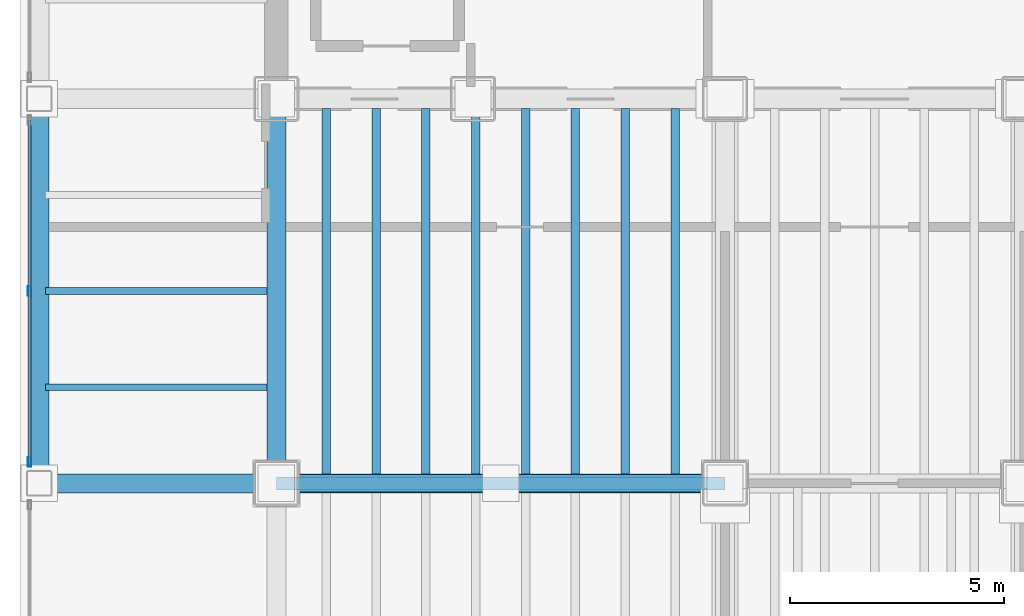
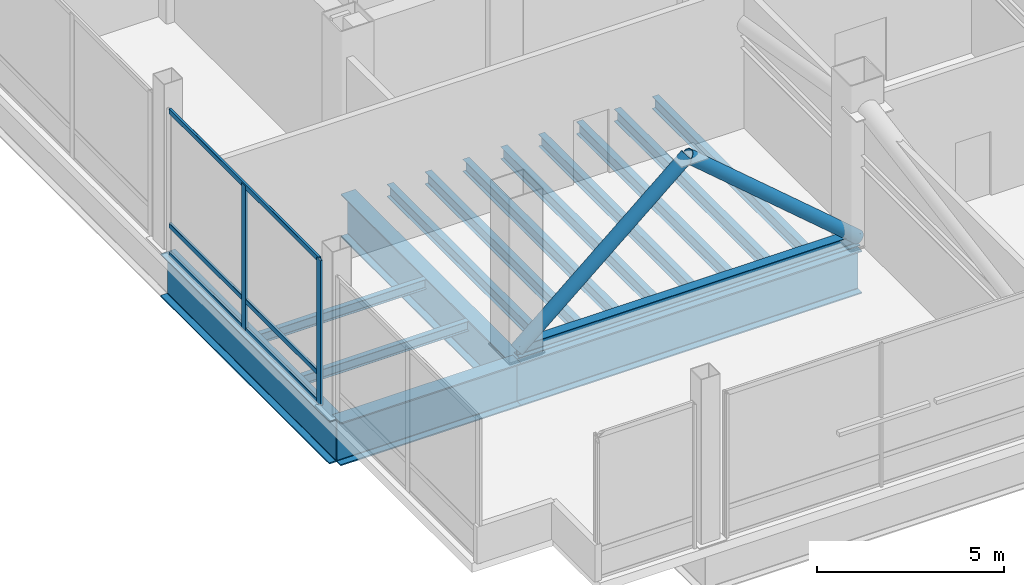
# One storey, part 4 of 20: 14 beams, 8 members, 1 element without a shape of its own.
"""IFC4 building model written with IfcOpenShell, lengths in metres."""

from ifc_helpers import new_model, si_unit, direction, frame, origin, origin_2d, place, context, subcontext, project, spatial, hollow_rectangle, hollow_circle, i_section, extrude, material, material_profile, profile_set, type_object, element, aggregate, save


model = new_model("IFC4")

# Units and contexts
model_context = context("Model", 3, precision=1e-05, world=origin(), true_north=direction((0.0, 1.0)))
body_context = subcontext(model_context, "Body", "Model", "MODEL_VIEW")
ifc_project = project(units=[si_unit("LENGTHUNIT", "METRE"), si_unit("AREAUNIT", "SQUARE_METRE"), si_unit("VOLUMEUNIT", "CUBIC_METRE"), si_unit("PLANEANGLEUNIT", "RADIAN"), si_unit("MASSUNIT", "GRAM", prefix="KILO")], contexts=[model_context])

# Site, building, storey
site_placement = place(None, origin())
site = spatial("IfcSite", under=ifc_project, at=site_placement, CompositionType="ELEMENT")
building_placement = place(site_placement, origin())
building = spatial("IfcBuilding", under=site, at=building_placement, Name="Noeulbin Bourse Tower", CompositionType="ELEMENT")
storey_placement = place(building_placement, frame((0.0, 0.0, 100.60009765625)))
storey = spatial("IfcBuildingStorey", under=building, at=storey_placement, Name="L25", CompositionType="ELEMENT", Elevation=100.60009765625)

# Beams
ifc_material_1 = material(Name="Steel S355", Category="steel")
ifc_material_profile_1 = material_profile(ifc_material_1, i_section(OverallWidth=0.159912109375, OverallDepth=0.320068359375, WebThickness=0.006591796875, FlangeThickness=0.010009765625, FilletRadius=0.012939453125, at=origin_2d()), Name="H-320x160x6.5x10", Category="LoadBearing")
ifc_profile_set_1 = profile_set([ifc_material_profile_1], Name="Steel S355")
beam_type_1 = type_object("IfcBeamType", Name="BM-JST-320", PredefinedType="JOIST", material=ifc_profile_set_1)
for number, where, z_axis, x_axis, name in (
    (1, (8.10009765625, 22.25, -0.460205078125), (1.0, 0.0, 0.0), (0.0, 1.0, 0.0), "Wing Composite Joist L25-W70"),
    (2, (8.10009765625, 24.5, -0.460205078125), (1.0, 0.0, 0.0), (0.0, 1.0, 0.0), "Wing Composite Joist L25-W71"),
):
    element("IfcBeam", number, at=place(storey_placement, frame(where, z_axis=z_axis, x_axis=x_axis)), inside=storey, type_object=beam_type_1, Name=name, PredefinedType="JOIST", context=body_context, shape_type="SweptSolid", body=[
        extrude(i_section(OverallWidth=0.159912109375, OverallDepth=0.320068359375, WebThickness=0.006591796875, FlangeThickness=0.010009765625, FilletRadius=0.012939453125, at=origin_2d()), origin(), (0.0, 0.0, 1.0), 5.1748046875),
    ])
ifc_material_profile_2 = material_profile(ifc_material_1, i_section(OverallWidth=0.199951171875, OverallDepth=0.39990234375, WebThickness=0.008056640625, FlangeThickness=0.012939453125, FilletRadius=0.01611328125, at=origin_2d()), Name="H-400x200x8x13", Category="LoadBearing")
ifc_profile_set_2 = profile_set([ifc_material_profile_2], Name="Steel S355")
beam_type_2 = type_object("IfcBeamType", Name="BM-SEC-400", PredefinedType="BEAM", material=ifc_profile_set_2)
for number, where, z_axis, x_axis, name in (
    (3, (14.666748046875, 20.22509765625, -0.5), (0.0, 1.0, 0.0), (-1.0, 0.0, 0.0), "Tower Composite Joist L25-02"),
    (4, (15.833251953125, 20.22509765625, -0.5), (0.0, 1.0, 0.0), (-1.0, 0.0, 0.0), "Tower Composite Joist L25-05"),
    (5, (17.0, 20.22509765625, -0.5), (0.0, 1.0, 0.0), (-1.0, 0.0, 0.0), "Tower Composite Joist L25-08"),
    (6, (18.166748046875, 20.22509765625, -0.5), (0.0, 1.0, 0.0), (-1.0, 0.0, 0.0), "Tower Composite Joist L25-11"),
    (7, (19.333251953125, 20.22509765625, -0.5), (0.0, 1.0, 0.0), (-1.0, 0.0, 0.0), "Tower Composite Joist L25-14"),
    (8, (20.5, 20.22509765625, -0.5), (0.0, 1.0, 0.0), (-1.0, 0.0, 0.0), "Tower Composite Joist L25-17"),
    (9, (21.666748046875, 20.22509765625, -0.5), (0.0, 1.0, 0.0), (-1.0, 0.0, 0.0), "Tower Composite Joist L25-20"),
    (10, (22.833251953125, 20.22509765625, -0.5), (0.0, 1.0, 0.0), (-1.0, 0.0, 0.0), "Tower Composite Joist L25-23"),
):
    element("IfcBeam", number, at=place(storey_placement, frame(where, z_axis=z_axis, x_axis=x_axis)), inside=storey, type_object=beam_type_2, Name=name, PredefinedType="BEAM", context=body_context, shape_type="SweptSolid", body=[
        extrude(i_section(OverallWidth=0.199951171875, OverallDepth=0.39990234375, WebThickness=0.008056640625, FlangeThickness=0.012939453125, FilletRadius=0.01611328125, at=origin_2d()), origin(), (0.0, 0.0, 1.0), 8.5498046875),
    ])
ifc_material_2 = material(Name="Steel S460", Category="steel")
ifc_material_profile_3 = material_profile(ifc_material_2, i_section(OverallWidth=0.449951171875, OverallDepth=1.39990234375, WebThickness=0.02392578125, FlangeThickness=0.0400390625, FilletRadius=0.02392578125, at=origin_2d()), Name="PG-1400x450x24x40", Category="LoadBearing")
ifc_profile_set_3 = profile_set([ifc_material_profile_3], Name="Steel S460")
beam_type_3 = type_object("IfcBeamType", Name="BM-TRF-1400", PredefinedType="USERDEFINED", material=ifc_profile_set_3)
beam_1_placement = place(storey_placement, frame((7.949951171875, 20.0, -1.0), z_axis=(1.0, 0.0, 0.0), x_axis=(0.0, 1.0, 0.0)))
element("IfcBeam", 11, at=beam_1_placement, inside=storey, type_object=beam_type_3, Name="Tower Primary Girder EW L25-1.1", ObjectType="GIRDER", PredefinedType="USERDEFINED", context=body_context, shape_type="SweptSolid", body=[
    extrude(i_section(OverallWidth=0.449951171875, OverallDepth=1.39990234375, WebThickness=0.02392578125, FlangeThickness=0.0400390625, FilletRadius=0.02392578125, at=origin_2d()), origin(), (0.0, 0.0, 1.0), 5.550048828125),
])
beam_2_placement = place(storey_placement, frame((13.5, 20.0, -1.0), z_axis=(1.0, 0.0, 0.0), x_axis=(0.0, 1.0, 0.0)))
element("IfcBeam", 12, at=beam_2_placement, inside=storey, type_object=beam_type_3, Name="Tower Primary Girder EW L25-1.2", ObjectType="GIRDER", PredefinedType="USERDEFINED", context=body_context, shape_type="SweptSolid", body=[
    extrude(i_section(OverallWidth=0.449951171875, OverallDepth=1.39990234375, WebThickness=0.02392578125, FlangeThickness=0.0400390625, FilletRadius=0.02392578125, at=origin_2d()), origin(), (0.0, 0.0, 1.0), 10.5),
])
for number, where, z_axis, x_axis, name in (
    (13, (13.5, 20.0, -1.0), (0.0, 1.0, 0.0), (-1.0, 0.0, 0.0), "Tower Primary Girder NS L25-1.2"),
    (14, (7.949951171875, 20.0, -1.0), (0.0, 1.0, 0.0), (-1.0, 0.0, 0.0), "West Spandrel L25-1"),
):
    element("IfcBeam", number, at=place(storey_placement, frame(where, z_axis=z_axis, x_axis=x_axis)), inside=storey, type_object=beam_type_3, Name=name, ObjectType="GIRDER", PredefinedType="USERDEFINED", context=body_context, shape_type="SweptSolid", body=[
        extrude(i_section(OverallWidth=0.449951171875, OverallDepth=1.39990234375, WebThickness=0.02392578125, FlangeThickness=0.0400390625, FilletRadius=0.02392578125, at=origin_2d()), origin(), (0.0, 0.0, 1.0), 9.0),
    ])

# Curtain wall, members
ifc_material_3 = material(Name="Translucent Ceramic-Fritted Glass", Category="glass")
curtain_wall_type = type_object("IfcCurtainWallType", Name="CW-SYS-5", PredefinedType="NOTDEFINED", material=ifc_material_3)
curtain_wall_placement = place(storey_placement, origin())
curtain_wall = element("IfcCurtainWall", 15, at=curtain_wall_placement, inside=storey, type_object=curtain_wall_type, Name="Unitised Curtain Wall CW-L25-W-S2", PredefinedType="NOTDEFINED")
ifc_material_4 = material(Name="Anodised Aluminium 6063-T6", Category="aluminium")
ifc_material_profile_4 = material_profile(ifc_material_4, hollow_rectangle(XDim=0.074951171875, YDim=0.219970703125, WallThickness=0.0048828125, InnerFilletRadius=0.00244140625, OuterFilletRadius=0.0048828125, at=origin_2d()), Name="ALU-MULL-75x220x5", Category="LoadBearing")
ifc_profile_set_4 = profile_set([ifc_material_profile_4], Name="Anodised Aluminium 6063-T6")
member_type_1 = type_object("IfcMemberType", Name="CW-SYS-5-MUL", PredefinedType="MULLION", material=ifc_profile_set_4)
member_1_placement = place(storey_placement, frame((7.719970703125, 20.5, -0.02001953125), z_axis=(0.0, 0.0, 1.0), x_axis=(1.0, 0.0, 0.0)))
member_1 = element("IfcMember", 16, at=member_1_placement, type_object=member_type_1, Name="Curtain Wall Mullion CW-L25-W-S2-M00", PredefinedType="MULLION", context=body_context, shape_type="SweptSolid", body=[
    extrude(hollow_rectangle(XDim=0.074951171875, YDim=0.219970703125, WallThickness=0.0048828125, InnerFilletRadius=0.00244140625, OuterFilletRadius=0.0048828125, at=origin_2d()), origin(), (0.0, 0.0, 1.0), 4.719970703125),
])
member_2_placement = place(storey_placement, frame((7.719970703125, 24.5, -0.02001953125), z_axis=(0.0, 0.0, 1.0), x_axis=(1.0, 0.0, 0.0)))
member_2 = element("IfcMember", 17, at=member_2_placement, type_object=member_type_1, Name="Curtain Wall Mullion CW-L25-W-S2-M01", PredefinedType="MULLION", context=body_context, shape_type="SweptSolid", body=[
    extrude(hollow_rectangle(XDim=0.074951171875, YDim=0.219970703125, WallThickness=0.0048828125, InnerFilletRadius=0.00244140625, OuterFilletRadius=0.0048828125, at=origin_2d()), origin(), (0.0, 0.0, 1.0), 4.719970703125),
])
ifc_material_profile_5 = material_profile(ifc_material_4, hollow_rectangle(XDim=0.074951171875, YDim=0.159912109375, WallThickness=0.0048828125, InnerFilletRadius=0.00244140625, OuterFilletRadius=0.0048828125, at=origin_2d()), Name="ALU-TRAN-75x160x5", Category="LoadBearing")
ifc_profile_set_5 = profile_set([ifc_material_profile_5], Name="Anodised Aluminium 6063-T6")
member_type_2 = type_object("IfcMemberType", Name="CW-SYS-5-TRN", PredefinedType="USERDEFINED", material=ifc_profile_set_5)
member_3_placement = place(storey_placement, frame((7.719970703125, 20.510009765625, 0.010009765625), z_axis=(0.0, 1.0, 0.0), x_axis=(-1.0, 0.0, 0.0)))
member_3 = element("IfcMember", 18, at=member_3_placement, type_object=member_type_2, Name="Curtain Wall Transom CW-L25-W-S2-T00", ObjectType="TRANSOM", PredefinedType="USERDEFINED", context=body_context, shape_type="SweptSolid", body=[
    extrude(hollow_rectangle(XDim=0.074951171875, YDim=0.159912109375, WallThickness=0.0048828125, InnerFilletRadius=0.00244140625, OuterFilletRadius=0.0048828125, at=origin_2d()), origin(), (0.0, 0.0, 1.0), 7.97998046875),
])
member_4_placement = place(storey_placement, frame((7.719970703125, 20.510009765625, 0.949951171875), z_axis=(0.0, 1.0, 0.0), x_axis=(-1.0, 0.0, 0.0)))
member_4 = element("IfcMember", 19, at=member_4_placement, type_object=member_type_2, Name="Curtain Wall Transom CW-L25-W-S2-T01", ObjectType="TRANSOM", PredefinedType="USERDEFINED", context=body_context, shape_type="SweptSolid", body=[
    extrude(hollow_rectangle(XDim=0.074951171875, YDim=0.159912109375, WallThickness=0.0048828125, InnerFilletRadius=0.00244140625, OuterFilletRadius=0.0048828125, at=origin_2d()), origin(), (0.0, 0.0, 1.0), 7.97998046875),
])
member_5_placement = place(storey_placement, frame((7.719970703125, 20.510009765625, 4.669921875), z_axis=(0.0, 1.0, 0.0), x_axis=(-1.0, 0.0, 0.0)))
member_5 = element("IfcMember", 20, at=member_5_placement, type_object=member_type_2, Name="Curtain Wall Transom CW-L25-W-S2-T02", ObjectType="TRANSOM", PredefinedType="USERDEFINED", context=body_context, shape_type="SweptSolid", body=[
    extrude(hollow_rectangle(XDim=0.074951171875, YDim=0.159912109375, WallThickness=0.0048828125, InnerFilletRadius=0.00244140625, OuterFilletRadius=0.0048828125, at=origin_2d()), origin(), (0.0, 0.0, 1.0), 7.97998046875),
])
aggregate(curtain_wall, [member_1, member_2, member_3, member_4, member_5])

# Members
ifc_material_profile_6 = material_profile(ifc_material_1, hollow_circle(Radius=0.203125, WallThickness=0.01611328125, at=origin_2d()), Name="CHS-406.4x16.0", Category="LoadBearing")
ifc_profile_set_6 = profile_set([ifc_material_profile_6], Name="Steel S355")
member_type_3 = type_object("IfcMemberType", Name="MEM-BLT-406", PredefinedType="BRACE", material=ifc_profile_set_6)
for number, where, z_axis, x_axis, name in (
    (21, (13.5, 20.0, 0.010009765625), (0.759972109263, 0.0, 0.649955685522), (0.0, 1.0, 0.0), "Interior Spine Belt Diagonal BT-L25-1A"),
    (22, (18.75, 20.0, 4.5), (0.759972109263, 0.0, -0.649955685522), (0.0, 1.0, 0.0), "Interior Spine Belt Diagonal BT-L25-1B"),
):
    element("IfcMember", number, at=place(storey_placement, frame(where, z_axis=z_axis, x_axis=x_axis)), inside=storey, type_object=member_type_3, Name=name, PredefinedType="BRACE", context=body_context, shape_type="SweptSolid", body=[
        extrude(hollow_circle(Radius=0.203125, WallThickness=0.01611328125, at=origin_2d()), origin(), (0.0, 0.0, 1.0), 6.908203125),
    ])
ifc_material_profile_7 = material_profile(ifc_material_1, i_section(OverallWidth=0.300048828125, OverallDepth=0.389892578125, WebThickness=0.010009765625, FlangeThickness=0.01611328125, FilletRadius=0.01806640625, at=origin_2d()), Name="H-390x300x10x16", Category="LoadBearing")
ifc_profile_set_7 = profile_set([ifc_material_profile_7], Name="Steel S355")
member_type_4 = type_object("IfcMemberType", Name="MEM-CHD-390", PredefinedType="CHORD", material=ifc_profile_set_7)
member_6_placement = place(storey_placement, frame((13.5, 20.0, 0.010009765625), z_axis=(1.0, 0.0, 0.0), x_axis=(0.0, 1.0, 0.0)))
element("IfcMember", 23, at=member_6_placement, inside=storey, type_object=member_type_4, Name="Interior Spine Belt Chord CH-L25-B1", PredefinedType="CHORD", context=body_context, shape_type="SweptSolid", body=[
    extrude(i_section(OverallWidth=0.300048828125, OverallDepth=0.389892578125, WebThickness=0.010009765625, FlangeThickness=0.01611328125, FilletRadius=0.01806640625, at=origin_2d()), origin(), (0.0, 0.0, 1.0), 10.5),
])

save(model, "model.ifc")
